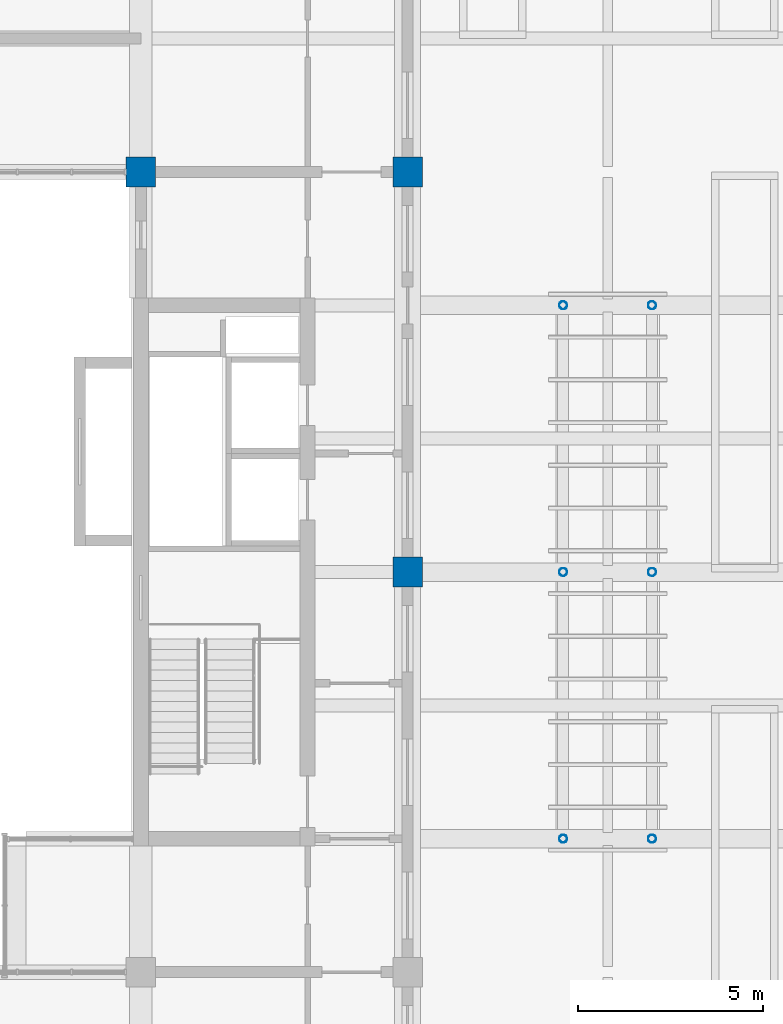
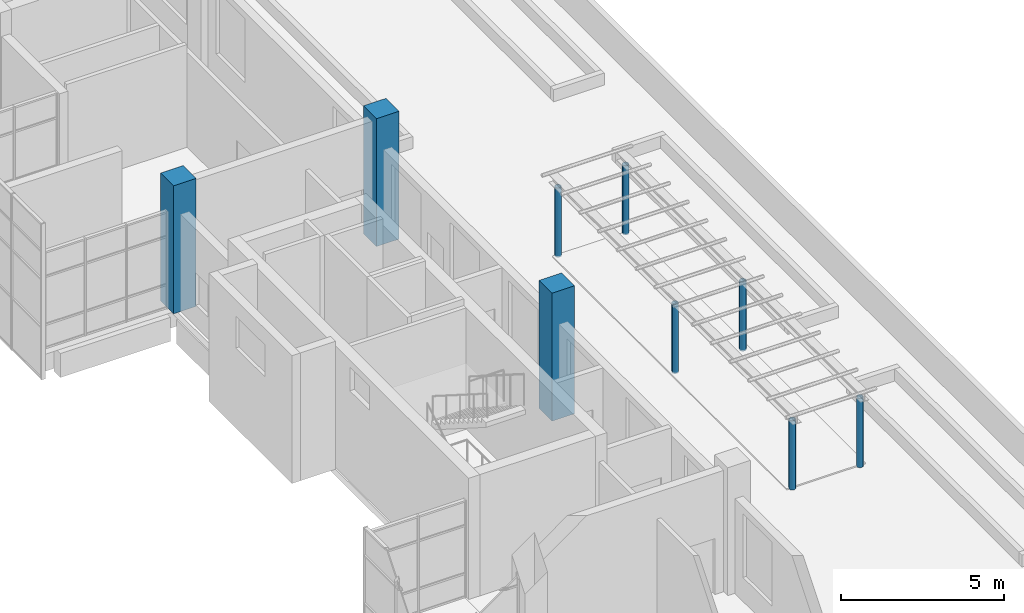
# One storey, part 2 of 16: 9 columns.
"""IFC4 building model written with IfcOpenShell, lengths in metres."""

from ifc_helpers import new_model, si_unit, direction, frame, origin, origin_2d, place, context, subcontext, project, spatial, rectangle, hollow_circle, extrude, material, material_profile, profile_set, type_object, element, save


model = new_model("IFC4")

# Units and contexts
model_context = context("Model", 3, precision=1e-05, world=origin(), true_north=direction((0.0, 1.0)))
body_context = subcontext(model_context, "Body", "Model", "MODEL_VIEW")
ifc_project = project(units=[si_unit("LENGTHUNIT", "METRE"), si_unit("AREAUNIT", "SQUARE_METRE"), si_unit("VOLUMEUNIT", "CUBIC_METRE"), si_unit("PLANEANGLEUNIT", "RADIAN"), si_unit("MASSUNIT", "GRAM", prefix="KILO")], contexts=[model_context])

# Site, building, storey
site_placement = place(None, origin())
site = spatial("IfcSite", under=ifc_project, at=site_placement, CompositionType="ELEMENT")
building_placement = place(site_placement, origin())
building = spatial("IfcBuilding", under=site, at=building_placement, Name="Basin Gate Institute", CompositionType="ELEMENT")
storey_placement = place(building_placement, frame((0.0, 0.0, 65.39990234375)))
storey = spatial("IfcBuildingStorey", under=building, at=storey_placement, Name="L13", CompositionType="ELEMENT", Elevation=65.39990234375)

# Columns
ifc_material_1 = material(Name="Concrete 50 MPa", Category="concrete")
ifc_material_profile_1 = material_profile(ifc_material_1, rectangle(XDim=0.800048828125, YDim=0.800048828125, at=origin_2d()), Name="Column C4 800 x 800")
ifc_profile_set_1 = profile_set([ifc_material_profile_1], Name="Concrete 50 MPa")
column_type_1 = type_object("IfcColumnType", Name="Column C4 R120", PredefinedType="COLUMN", material=ifc_profile_set_1)
for number, where, z_axis, x_axis, name in (
    (1, (61.199951171875, 78.300048828125, 0.0), (0.0, 0.0, 1.0), (1.0, 0.0, 0.0), "COL/L13/4E"),
    (2, (68.39990234375, 67.5, 0.0), (0.0, 0.0, 1.0), (1.0, 0.0, 0.0), "COL/L13/5D"),
    (3, (68.39990234375, 78.300048828125, 0.0), (0.0, 0.0, 1.0), (1.0, 0.0, 0.0), "COL/L13/5E"),
):
    element("IfcColumn", number, at=place(storey_placement, frame(where, z_axis=z_axis, x_axis=x_axis)), inside=storey, type_object=column_type_1, material=ifc_profile_set_1, Name=name, PredefinedType="COLUMN", context=body_context, shape_type="SweptSolid", body=[
        extrude(rectangle(XDim=0.800048828125, YDim=0.800048828125, at=origin_2d()), origin(), (0.0, 0.0, 1.0), 4.800048828125),
    ])
ifc_material_2 = material(Name="Structural steel SN490", Category="steel")
ifc_material_profile_2 = material_profile(ifc_material_2, hollow_circle(Radius=0.109619140625, WallThickness=0.008056640625, at=origin_2d()), Name="CHS219x8")
ifc_profile_set_2 = profile_set([ifc_material_profile_2], Name="Structural steel SN490")
column_type_2 = type_object("IfcColumnType", Name="Pergola post TD3", PredefinedType="COLUMN", material=ifc_profile_set_2)
for number, where, z_axis, x_axis, name in (
    (4, (72.60009765625, 60.300048828125, 0.0), (0.0, 0.0, 1.0), (1.0, 0.0, 0.0), "Pergola post TD3 W11"),
    (5, (72.60009765625, 67.5, 0.0), (0.0, 0.0, 1.0), (1.0, 0.0, 0.0), "Pergola post TD3 W12"),
    (6, (72.60009765625, 74.699951171875, 0.0), (0.0, 0.0, 1.0), (1.0, 0.0, 0.0), "Pergola post TD3 W13"),
    (7, (75.0, 60.300048828125, 0.0), (0.0, 0.0, 1.0), (1.0, 0.0, 0.0), "Pergola post TD3 W21"),
    (8, (75.0, 67.5, 0.0), (0.0, 0.0, 1.0), (1.0, 0.0, 0.0), "Pergola post TD3 W22"),
    (9, (75.0, 74.699951171875, 0.0), (0.0, 0.0, 1.0), (1.0, 0.0, 0.0), "Pergola post TD3 W23"),
):
    element("IfcColumn", number, at=place(storey_placement, frame(where, z_axis=z_axis, x_axis=x_axis)), inside=storey, type_object=column_type_2, material=ifc_profile_set_2, Name=name, PredefinedType="COLUMN", context=body_context, shape_type="SweptSolid", body=[
        extrude(hollow_circle(Radius=0.109619140625, WallThickness=0.008056640625, at=origin_2d()), origin(), (0.0, 0.0, 1.0), 2.60009765625),
    ])

save(model, "model.ifc")
